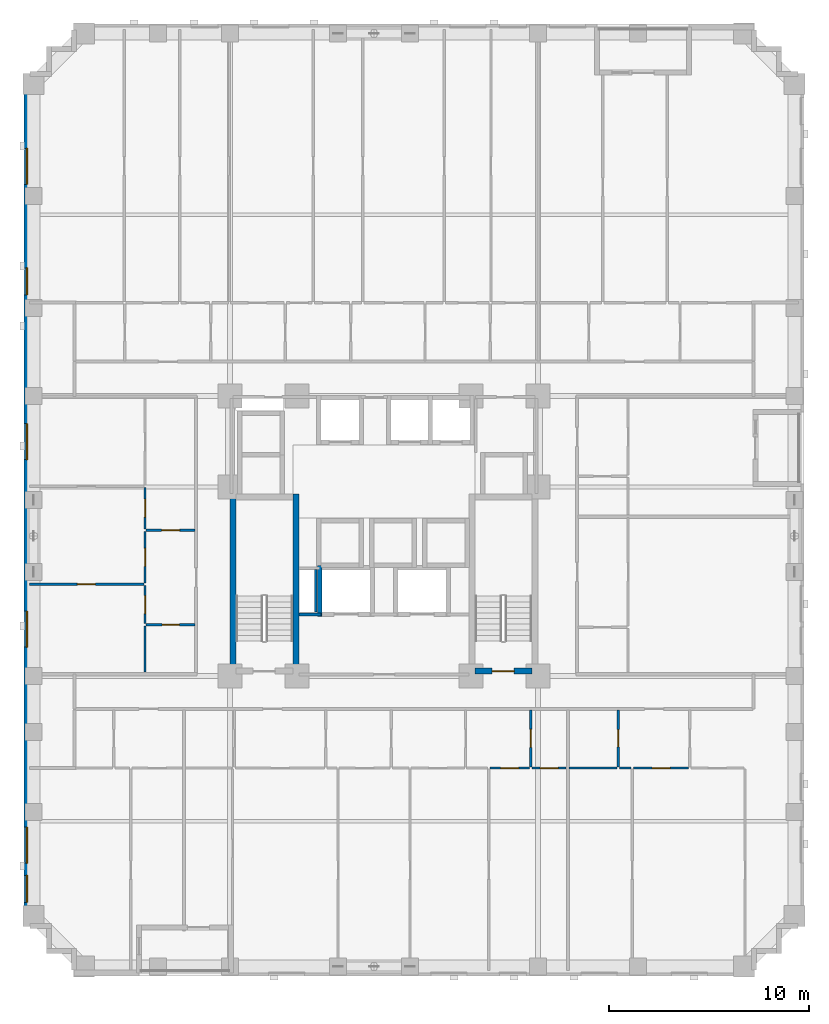
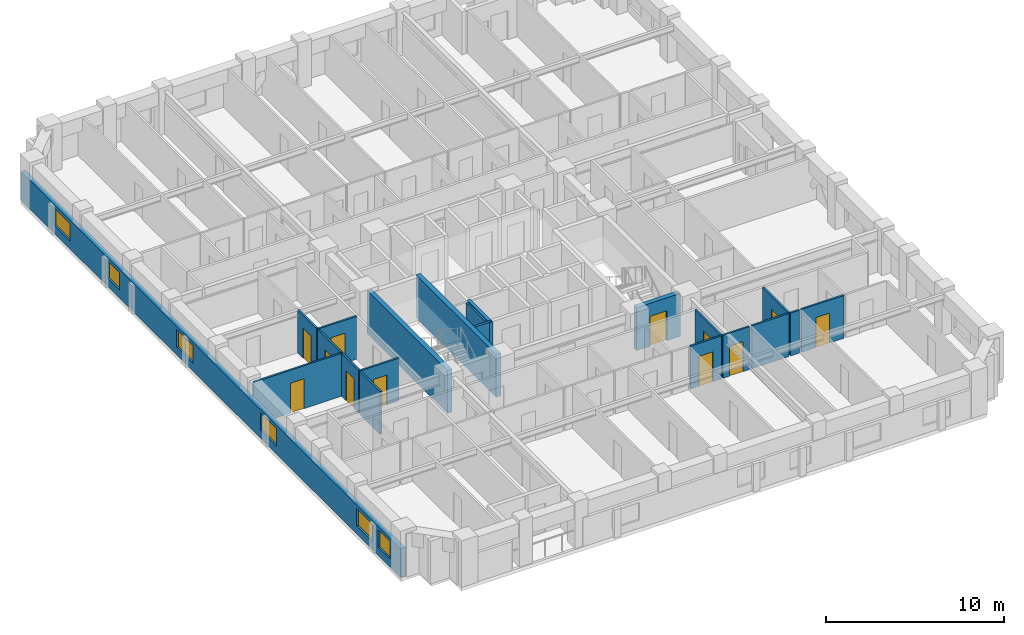
# One storey, part 4 of 14: 21 walls, 12 doors, 6 windows, 18 openings.
"""IFC4 building model written with IfcOpenShell, lengths in metres."""

from ifc_helpers import new_model, si_unit, derived_unit, direction, frame, frame_2d, origin, place, context, subcontext, project, spatial, rectangle, extrude, material, layer, layer_set, type_object, element, fill, save


model = new_model("IFC4")

# Units and contexts
model_context = context("Model", 3, precision=1e-05, world=origin(), true_north=direction((0.0, 1.0)))
body_context = subcontext(model_context, "Body", "Model", "MODEL_VIEW")
ifc_project = project(units=[si_unit("LENGTHUNIT", "METRE"), si_unit("AREAUNIT", "SQUARE_METRE"), si_unit("VOLUMEUNIT", "CUBIC_METRE"), si_unit("PLANEANGLEUNIT", "RADIAN"), si_unit("MASSUNIT", "GRAM", prefix="KILO"), derived_unit("THERMALTRANSMITTANCEUNIT", [(si_unit("MASSUNIT", "GRAM", prefix="KILO"), 1), (si_unit("TIMEUNIT", "SECOND"), -3), (si_unit("THERMODYNAMICTEMPERATUREUNIT", "KELVIN"), -1)])], contexts=[model_context])

# Site, building, storey
site_placement = place(None, origin())
site = spatial("IfcSite", under=ifc_project, at=site_placement, CompositionType="ELEMENT")
building_placement = place(site_placement, origin())
building = spatial("IfcBuilding", under=site, at=building_placement, Name="Korrvale Station Residences", CompositionType="ELEMENT")
storey_placement = place(building_placement, frame((0.0, 0.0, 48.199951171875)))
storey = spatial("IfcBuildingStorey", under=building, at=storey_placement, Name="L12", CompositionType="ELEMENT", Elevation=48.199951171875)

# Walls
ifc_material_1 = material(Name="Concrete C70/85", Category="concrete")
ifc_layer_1 = layer(ifc_material_1, 0.300048828125, Name="Concrete C70/85")
ifc_layer_set_1 = layer_set([ifc_layer_1], Name="Concrete C70/85")
wall_type_1 = type_object("IfcWallType", Name="WAL-CORE-300-C70", PredefinedType="SHEAR", material=ifc_layer_set_1)
for number, where, z_axis, x_axis, name in (
    (1, (17.949951171875, 15.10009765625, 0.0), (0.0, 0.0, 1.0), (0.0, 1.0, 0.0), "L12 ST-1 Core Shear Wall West"),
    (2, (21.10009765625, 15.10009765625, 0.0), (0.0, 0.0, 1.0), (0.0, 1.0, 0.0), "L12 ST-1 Core Shear Wall East"),
):
    element("IfcWall", number, at=place(storey_placement, frame(where, z_axis=z_axis, x_axis=x_axis)), inside=storey, type_object=wall_type_1, Name=name, PredefinedType="SHEAR", context=body_context, shape_type="SweptSolid", body=[
        extrude(rectangle(XDim=9.0, YDim=0.300048828125, at=frame_2d((4.5, 0.0))), origin(), (0.0, 0.0, 1.0), 2.93994140625),
    ])

# Wall, opening, door
wall_1_placement = place(storey_placement, frame((30.050048828125, 15.25, 0.0), z_axis=(0.0, 0.0, 1.0), x_axis=(1.0, 0.0, 0.0)))
wall_1 = element("IfcWall", 3, at=wall_1_placement, inside=storey, type_object=wall_type_1, Name="L12 ST-2 Core Shear Wall South", PredefinedType="SHEAR", context=body_context, shape_type="SweptSolid", body=[
    extrude(rectangle(XDim=2.849853515625, YDim=0.300048828125, at=frame_2d((1.4248046875, 0.0))), origin(), (0.0, 0.0, 1.0), 2.93994140625),
])
opening_1_placement = place(wall_1_placement, frame((0.860107421875, 0.0, 0.0)))
opening_1 = element("IfcOpeningElement", 4, at=opening_1_placement, cuts=wall_1, Name="Opening SD-1100", PredefinedType="OPENING", context=body_context, shape_type="SweptSolid", body=[
    extrude(rectangle(XDim=1.10009765625, YDim=2.050048828125, at=frame_2d((0.550048828125, 1.02490234375))), frame((0.0, 0.16015625, 0.0), z_axis=(0.0, -1.0, 0.0), x_axis=(1.0, 0.0, 0.0)), (0.0, 0.0, 1.0), 0.320068359375),
])
ifc_material_2 = material(Name="Hollow-metal fire-rated stair door with closer", Category="steel")
door_type_1 = type_object("IfcDoorType", Name="DR-STAIR-1100", OperationType="NOTDEFINED", PredefinedType="DOOR", material=ifc_material_2)
door_1_placement = place(opening_1_placement, origin())
door_1 = element("IfcDoor", 5, at=door_1_placement, inside=storey, type_object=door_type_1, Name="L12 ST-2 Exit Stair Door", OperationType="SINGLE_SWING_RIGHT", OverallHeight=2.050048828125, OverallWidth=1.10009765625, PredefinedType="DOOR", context=body_context, shape_type="SweptSolid", body=[
    extrude(rectangle(XDim=1.10009765625, YDim=2.050048828125, at=frame_2d((0.550048828125, 1.02490234375))), frame((0.0, 0.02490234375, 0.0), z_axis=(0.0, -1.0, 0.0), x_axis=(1.0, 0.0, 0.0)), (0.0, 0.0, 1.0), 0.050048828125),
])
fill(opening_1, door_1)

# Wall, openings, windows
ifc_material_3 = material(Name="Precast concrete C45/55", Category="concrete")
ifc_layer_2 = layer(ifc_material_3, 0.300048828125, Name="Precast concrete C45/55")
ifc_layer_set_2 = layer_set([ifc_layer_2], Name="Precast concrete C45/55")
wall_type_2 = type_object("IfcWallType", Name="WAL-EXT-PC300", PredefinedType="SOLIDWALL", material=ifc_layer_set_2)
wall_2_placement = place(storey_placement, frame((7.64990234375, 2.5, 0.0), z_axis=(0.0, 0.0, 1.0), x_axis=(0.0, 1.0, 0.0)))
wall_2 = element("IfcWall", 6, at=wall_2_placement, inside=storey, type_object=wall_type_2, Name="L12 West Exterior Precast Wall 1", PredefinedType="SOLIDWALL", context=body_context, shape_type="SweptSolid", body=[
    extrude(rectangle(XDim=42.60009765625, YDim=0.300048828125, at=frame_2d((21.300048828125, 0.0))), origin(), (0.0, 0.0, 1.0), 1.97509765625),
])
opening_2_placement = place(wall_2_placement, frame((3.14990234375, 0.0, 0.550048828125)))
opening_2 = element("IfcOpeningElement", 7, at=opening_2_placement, cuts=wall_2, Name="Opening W-09", PredefinedType="OPENING", context=body_context, shape_type="SweptSolid", body=[
    extrude(rectangle(XDim=1.800048828125, YDim=1.199951171875, at=frame_2d((0.89990234375, 0.60009765625))), frame((0.0, 0.16015625, 0.0), z_axis=(0.0, -1.0, 0.0), x_axis=(1.0, 0.0, 0.0)), (0.0, 0.0, 1.0), 0.320068359375),
])
opening_3_placement = place(wall_2_placement, frame((1.18505859375, 0.0, 0.550048828125)))
opening_3 = element("IfcOpeningElement", 8, at=opening_3_placement, cuts=wall_2, Name="Opening W-10", PredefinedType="OPENING", context=body_context, shape_type="SweptSolid", body=[
    extrude(rectangle(XDim=1.35009765625, YDim=1.199951171875, at=frame_2d((0.675048828125, 0.60009765625))), frame((0.0, 0.16015625, 0.0), z_axis=(0.0, -1.0, 0.0), x_axis=(1.0, 0.0, 0.0)), (0.0, 0.0, 1.0), 0.320068359375),
])
opening_4_placement = place(wall_2_placement, frame((37.0849609375, 0.0, 0.550048828125)))
opening_4 = element("IfcOpeningElement", 9, at=opening_4_placement, cuts=wall_2, Name="Opening W-09", PredefinedType="OPENING", context=body_context, shape_type="SweptSolid", body=[
    extrude(rectangle(XDim=1.800048828125, YDim=1.199951171875, at=frame_2d((0.89990234375, 0.60009765625))), frame((0.0, 0.16015625, 0.0), z_axis=(0.0, -1.0, 0.0), x_axis=(1.0, 0.0, 0.0)), (0.0, 0.0, 1.0), 0.320068359375),
])
opening_5_placement = place(wall_2_placement, frame((31.550048828125, 0.0, 0.550048828125)))
opening_5 = element("IfcOpeningElement", 10, at=opening_5_placement, cuts=wall_2, Name="Opening W-10", PredefinedType="OPENING", context=body_context, shape_type="SweptSolid", body=[
    extrude(rectangle(XDim=1.35009765625, YDim=1.199951171875, at=frame_2d((0.675048828125, 0.60009765625))), frame((0.0, 0.16015625, 0.0), z_axis=(0.0, -1.0, 0.0), x_axis=(1.0, 0.0, 0.0)), (0.0, 0.0, 1.0), 0.320068359375),
])
opening_6_placement = place(wall_2_placement, frame((13.949951171875, 0.0, 0.550048828125)))
opening_6 = element("IfcOpeningElement", 11, at=opening_6_placement, cuts=wall_2, Name="Opening W-09", PredefinedType="OPENING", context=body_context, shape_type="SweptSolid", body=[
    extrude(rectangle(XDim=1.800048828125, YDim=1.199951171875, at=frame_2d((0.89990234375, 0.60009765625))), frame((0.0, 0.16015625, 0.0), z_axis=(0.0, -1.0, 0.0), x_axis=(1.0, 0.0, 0.0)), (0.0, 0.0, 1.0), 0.320068359375),
])
opening_7_placement = place(wall_2_placement, frame((23.324951171875, 0.0, 0.550048828125)))
opening_7 = element("IfcOpeningElement", 12, at=opening_7_placement, cuts=wall_2, Name="Opening W-09", PredefinedType="OPENING", context=body_context, shape_type="SweptSolid", body=[
    extrude(rectangle(XDim=1.800048828125, YDim=1.199951171875, at=frame_2d((0.89990234375, 0.60009765625))), frame((0.0, 0.16015625, 0.0), z_axis=(0.0, -1.0, 0.0), x_axis=(1.0, 0.0, 0.0)), (0.0, 0.0, 1.0), 0.320068359375),
])
ifc_material_4 = material(Name="Thermally broken aluminium frame with triple low-e glazing", Category="aluminium")
window_type_1 = type_object("IfcWindowType", Name="WIN-W09", PartitioningType="DOUBLE_PANEL_VERTICAL", PredefinedType="WINDOW", material=ifc_material_4)
window_1_placement = place(opening_2_placement, origin())
window_1 = element("IfcWindow", 13, at=window_1_placement, inside=storey, type_object=window_type_1, Name="L12 Punched Window 01", OverallHeight=1.199951171875, OverallWidth=1.800048828125, PartitioningType="DOUBLE_PANEL_VERTICAL", PredefinedType="WINDOW", context=body_context, shape_type="SweptSolid", body=[
    extrude(rectangle(XDim=1.800048828125, YDim=1.199951171875, at=frame_2d((0.89990234375, 0.60009765625))), frame((0.0, 0.030029296875, 0.0), z_axis=(0.0, -1.0, 0.0), x_axis=(1.0, 0.0, 0.0)), (0.0, 0.0, 1.0), 0.06005859375),
])
fill(opening_2, window_1)
window_2_placement = place(opening_4_placement, origin())
window_2 = element("IfcWindow", 14, at=window_2_placement, inside=storey, type_object=window_type_1, Name="L12 Punched Window 11", OverallHeight=1.199951171875, OverallWidth=1.800048828125, PartitioningType="DOUBLE_PANEL_VERTICAL", PredefinedType="WINDOW", context=body_context, shape_type="SweptSolid", body=[
    extrude(rectangle(XDim=1.800048828125, YDim=1.199951171875, at=frame_2d((0.89990234375, 0.60009765625))), frame((0.0, 0.030029296875, 0.0), z_axis=(0.0, -1.0, 0.0), x_axis=(1.0, 0.0, 0.0)), (0.0, 0.0, 1.0), 0.06005859375),
])
fill(opening_4, window_2)
window_3_placement = place(opening_6_placement, origin())
window_3 = element("IfcWindow", 15, at=window_3_placement, inside=storey, type_object=window_type_1, Name="L12 Punched Window 21", OverallHeight=1.199951171875, OverallWidth=1.800048828125, PartitioningType="DOUBLE_PANEL_VERTICAL", PredefinedType="WINDOW", context=body_context, shape_type="SweptSolid", body=[
    extrude(rectangle(XDim=1.800048828125, YDim=1.199951171875, at=frame_2d((0.89990234375, 0.60009765625))), frame((0.0, 0.030029296875, 0.0), z_axis=(0.0, -1.0, 0.0), x_axis=(1.0, 0.0, 0.0)), (0.0, 0.0, 1.0), 0.06005859375),
])
fill(opening_6, window_3)
window_4_placement = place(opening_7_placement, origin())
window_4 = element("IfcWindow", 16, at=window_4_placement, inside=storey, type_object=window_type_1, Name="L12 Punched Window 22", OverallHeight=1.199951171875, OverallWidth=1.800048828125, PartitioningType="DOUBLE_PANEL_VERTICAL", PredefinedType="WINDOW", context=body_context, shape_type="SweptSolid", body=[
    extrude(rectangle(XDim=1.800048828125, YDim=1.199951171875, at=frame_2d((0.89990234375, 0.60009765625))), frame((0.0, 0.030029296875, 0.0), z_axis=(0.0, -1.0, 0.0), x_axis=(1.0, 0.0, 0.0)), (0.0, 0.0, 1.0), 0.06005859375),
])
fill(opening_7, window_4)
window_type_2 = type_object("IfcWindowType", Name="WIN-W10", PartitioningType="SINGLE_PANEL", PredefinedType="WINDOW", material=ifc_material_4)
window_5_placement = place(opening_3_placement, origin())
window_5 = element("IfcWindow", 17, at=window_5_placement, inside=storey, type_object=window_type_2, Name="L12 Punched Window 02", OverallHeight=1.199951171875, OverallWidth=1.35009765625, PartitioningType="SINGLE_PANEL", PredefinedType="WINDOW", context=body_context, shape_type="SweptSolid", body=[
    extrude(rectangle(XDim=1.35009765625, YDim=1.199951171875, at=frame_2d((0.675048828125, 0.60009765625))), frame((0.0, 0.030029296875, 0.0), z_axis=(0.0, -1.0, 0.0), x_axis=(1.0, 0.0, 0.0)), (0.0, 0.0, 1.0), 0.06005859375),
])
fill(opening_3, window_5)
window_6_placement = place(opening_5_placement, origin())
window_6 = element("IfcWindow", 18, at=window_6_placement, inside=storey, type_object=window_type_2, Name="L12 Punched Window 12", OverallHeight=1.199951171875, OverallWidth=1.35009765625, PartitioningType="SINGLE_PANEL", PredefinedType="WINDOW", context=body_context, shape_type="SweptSolid", body=[
    extrude(rectangle(XDim=1.35009765625, YDim=1.199951171875, at=frame_2d((0.675048828125, 0.60009765625))), frame((0.0, 0.030029296875, 0.0), z_axis=(0.0, -1.0, 0.0), x_axis=(1.0, 0.0, 0.0)), (0.0, 0.0, 1.0), 0.06005859375),
])
fill(opening_5, window_6)

# Wall
ifc_material_5 = material(Name="Acoustic steel-stud gypsum board partition", Category="steel")
ifc_layer_3 = layer(ifc_material_5, 0.1201171875, Name="Acoustic steel-stud gypsum board partition")
ifc_layer_set_3 = layer_set([ifc_layer_3], Name="Acoustic steel-stud gypsum board partition")
wall_type_3 = type_object("IfcWallType", Name="WAL-PART-125", PredefinedType="PARTITIONING", material=ifc_layer_set_3)
wall_3_placement = place(storey_placement, frame((22.080078125, 18.199951171875, 0.0), z_axis=(0.0, 0.0, 1.0), x_axis=(0.0, 1.0, 0.0)))
element("IfcWall", 19, at=wall_3_placement, inside=storey, type_object=wall_type_3, Name="L12 Core Partition CW-RSWT", PredefinedType="PARTITIONING", context=body_context, shape_type="SweptSolid", body=[
    extrude(rectangle(XDim=2.1201171875, YDim=0.1201171875, at=frame_2d((1.06005859375, 0.0))), origin(), (0.0, 0.0, 1.0), 2.93994140625),
])

# Wall, opening, door
wall_4_placement = place(storey_placement, frame((32.845947265625, 10.4599609375, 0.0), z_axis=(0.0, 0.0, 1.0), x_axis=(0.0, 1.0, 0.0)))
wall_4 = element("IfcWall", 20, at=wall_4_placement, inside=storey, type_object=wall_type_3, Name="L12 Suite Partition U02-V45", PredefinedType="PARTITIONING", context=body_context, shape_type="SweptSolid", body=[
    extrude(rectangle(XDim=2.85009765625, YDim=0.1201171875, at=frame_2d((1.425048828125, 0.0))), origin(), (0.0, 0.0, 1.0), 2.93994140625),
])
opening_8_placement = place(wall_4_placement, frame((0.97509765625, 0.0, 0.0)))
opening_8 = element("IfcOpeningElement", 21, at=opening_8_placement, cuts=wall_4, Name="Opening DI-900", PredefinedType="OPENING", context=body_context, shape_type="SweptSolid", body=[
    extrude(rectangle(XDim=0.89990234375, YDim=2.050048828125, at=frame_2d((0.449951171875, 1.02490234375))), frame((0.0, 0.070068359375, 0.0), z_axis=(0.0, -1.0, 0.0), x_axis=(1.0, 0.0, 0.0)), (0.0, 0.0, 1.0), 0.14013671875),
])
ifc_material_6 = material(Name="Painted solid-core timber interior room door", Category="wood")
door_type_2 = type_object("IfcDoorType", Name="DR-INT-900", OperationType="NOTDEFINED", PredefinedType="DOOR", material=ifc_material_6)
door_2_placement = place(opening_8_placement, origin())
door_2 = element("IfcDoor", 22, at=door_2_placement, inside=storey, type_object=door_type_2, Name="L12 Apartment 2BR L12-U02 Storage Closet 3 Door", OperationType="SINGLE_SWING_LEFT", OverallHeight=2.050048828125, OverallWidth=0.89990234375, PredefinedType="DOOR", context=body_context, shape_type="SweptSolid", body=[
    extrude(rectangle(XDim=0.89990234375, YDim=2.050048828125, at=frame_2d((0.449951171875, 1.02490234375))), frame((0.0, 0.02490234375, 0.0), z_axis=(0.0, -1.0, 0.0), x_axis=(1.0, 0.0, 0.0)), (0.0, 0.0, 1.0), 0.050048828125),
])
fill(opening_8, door_2)

wall_5_placement = place(storey_placement, frame((30.7880859375, 10.39990234375, 0.0), z_axis=(0.0, 0.0, 1.0), x_axis=(1.0, 0.0, 0.0)))
wall_5 = element("IfcWall", 23, at=wall_5_placement, inside=storey, type_object=wall_type_3, Name="L12 Suite Partition U02-H410", PredefinedType="PARTITIONING", context=body_context, shape_type="SweptSolid", body=[
    extrude(rectangle(XDim=1.997802734375, YDim=0.1201171875, at=frame_2d((0.9990234375, 0.0))), origin(), (0.0, 0.0, 1.0), 2.93994140625),
])
opening_9_placement = place(wall_5_placement, frame((0.549072265625, 0.0, 0.0)))
opening_9 = element("IfcOpeningElement", 24, at=opening_9_placement, cuts=wall_5, Name="Opening DI-900", PredefinedType="OPENING", context=body_context, shape_type="SweptSolid", body=[
    extrude(rectangle(XDim=0.89990234375, YDim=2.050048828125, at=frame_2d((0.449951171875, 1.02490234375))), frame((0.0, 0.070068359375, 0.0), z_axis=(0.0, -1.0, 0.0), x_axis=(1.0, 0.0, 0.0)), (0.0, 0.0, 1.0), 0.14013671875),
])
door_3_placement = place(opening_9_placement, origin())
door_3 = element("IfcDoor", 25, at=door_3_placement, inside=storey, type_object=door_type_2, Name="L12 Apartment 2BR L12-U02 Storage Closet 3 Door", OperationType="SINGLE_SWING_RIGHT", OverallHeight=2.050048828125, OverallWidth=0.89990234375, PredefinedType="DOOR", context=body_context, shape_type="SweptSolid", body=[
    extrude(rectangle(XDim=0.89990234375, YDim=2.050048828125, at=frame_2d((0.449951171875, 1.02490234375))), frame((0.0, 0.02490234375, 0.0), z_axis=(0.0, -1.0, 0.0), x_axis=(1.0, 0.0, 0.0)), (0.0, 0.0, 1.0), 0.050048828125),
])
fill(opening_9, door_3)

wall_6_placement = place(storey_placement, frame((32.906005859375, 10.39990234375, 0.0), z_axis=(0.0, 0.0, 1.0), x_axis=(1.0, 0.0, 0.0)))
wall_6 = element("IfcWall", 26, at=wall_6_placement, inside=storey, type_object=wall_type_3, Name="L12 Suite Partition U02-H510", PredefinedType="PARTITIONING", context=body_context, shape_type="SweptSolid", body=[
    extrude(rectangle(XDim=1.68994140625, YDim=0.1201171875, at=frame_2d((0.844970703125, 0.0))), origin(), (0.0, 0.0, 1.0), 2.93994140625),
])
opening_10_placement = place(wall_6_placement, frame((0.39501953125, 0.0, 0.0)))
opening_10 = element("IfcOpeningElement", 27, at=opening_10_placement, cuts=wall_6, Name="Opening DI-900", PredefinedType="OPENING", context=body_context, shape_type="SweptSolid", body=[
    extrude(rectangle(XDim=0.89990234375, YDim=2.050048828125, at=frame_2d((0.449951171875, 1.02490234375))), frame((0.0, 0.070068359375, 0.0), z_axis=(0.0, -1.0, 0.0), x_axis=(1.0, 0.0, 0.0)), (0.0, 0.0, 1.0), 0.14013671875),
])
door_4_placement = place(opening_10_placement, origin())
door_4 = element("IfcDoor", 28, at=door_4_placement, inside=storey, type_object=door_type_2, Name="L12 Apartment 2BR L12-U02 Storage Closet 4 Door", OperationType="SINGLE_SWING_LEFT", OverallHeight=2.050048828125, OverallWidth=0.89990234375, PredefinedType="DOOR", context=body_context, shape_type="SweptSolid", body=[
    extrude(rectangle(XDim=0.89990234375, YDim=2.050048828125, at=frame_2d((0.449951171875, 1.02490234375))), frame((0.0, 0.02490234375, 0.0), z_axis=(0.0, -1.0, 0.0), x_axis=(1.0, 0.0, 0.0)), (0.0, 0.0, 1.0), 0.050048828125),
])
fill(opening_10, door_4)

wall_7_placement = place(storey_placement, frame((37.216064453125, 10.4599609375, 0.0), z_axis=(0.0, 0.0, 1.0), x_axis=(0.0, 1.0, 0.0)))
wall_7 = element("IfcWall", 29, at=wall_7_placement, inside=storey, type_object=wall_type_3, Name="L12 Suite Partition U03-V01", PredefinedType="PARTITIONING", context=body_context, shape_type="SweptSolid", body=[
    extrude(rectangle(XDim=2.85009765625, YDim=0.1201171875, at=frame_2d((1.425048828125, 0.0))), origin(), (0.0, 0.0, 1.0), 2.93994140625),
])
opening_11_placement = place(wall_7_placement, frame((0.9951171875, 0.0, 0.0)))
opening_11 = element("IfcOpeningElement", 30, at=opening_11_placement, cuts=wall_7, Name="Opening DB-860", PredefinedType="OPENING", context=body_context, shape_type="SweptSolid", body=[
    extrude(rectangle(XDim=0.860107421875, YDim=2.050048828125, at=frame_2d((0.43017578125, 1.02490234375))), frame((0.0, 0.070068359375, 0.0), z_axis=(0.0, -1.0, 0.0), x_axis=(1.0, 0.0, 0.0)), (0.0, 0.0, 1.0), 0.14013671875),
])
ifc_material_7 = material(Name="Moisture-resistant solid-core bathroom door", Category="timber")
door_type_3 = type_object("IfcDoorType", Name="DR-BATH-860", OperationType="NOTDEFINED", PredefinedType="DOOR", material=ifc_material_7)
door_5_placement = place(opening_11_placement, origin())
door_5 = element("IfcDoor", 31, at=door_5_placement, inside=storey, type_object=door_type_3, Name="L12 Studio Apartment L12-U03 Bathroom Door", OperationType="SINGLE_SWING_RIGHT", OverallHeight=2.050048828125, OverallWidth=0.860107421875, PredefinedType="DOOR", context=body_context, shape_type="SweptSolid", body=[
    extrude(rectangle(XDim=0.860107421875, YDim=2.050048828125, at=frame_2d((0.43017578125, 1.02490234375))), frame((0.0, 0.02490234375, 0.0), z_axis=(0.0, -1.0, 0.0), x_axis=(1.0, 0.0, 0.0)), (0.0, 0.0, 1.0), 0.050048828125),
])
fill(opening_11, door_5)

# Walls
wall_8_placement = place(storey_placement, frame((34.756103515625, 10.39990234375, 0.0), z_axis=(0.0, 0.0, 1.0), x_axis=(1.0, 0.0, 0.0)))
element("IfcWall", 32, at=wall_8_placement, inside=storey, type_object=wall_type_3, Name="L12 Suite Partition U03-H03", PredefinedType="PARTITIONING", context=body_context, shape_type="SweptSolid", body=[
    extrude(rectangle(XDim=2.39990234375, YDim=0.1201171875, at=frame_2d((1.199951171875, 0.0))), origin(), (0.0, 0.0, 1.0), 2.93994140625),
])
wall_9_placement = place(storey_placement, frame((37.27587890625, 10.39990234375, 0.0), z_axis=(0.0, 0.0, 1.0), x_axis=(1.0, 0.0, 0.0)))
element("IfcWall", 33, at=wall_9_placement, inside=storey, type_object=wall_type_3, Name="L12 Suite Partition U03-H13", PredefinedType="PARTITIONING", context=body_context, shape_type="SweptSolid", body=[
    extrude(rectangle(XDim=0.580078125, YDim=0.1201171875, at=frame_2d((0.2900390625, 0.0))), origin(), (0.0, 0.0, 1.0), 2.93994140625),
])

# Wall, opening, door
wall_10_placement = place(storey_placement, frame((37.97607421875, 10.39990234375, 0.0), z_axis=(0.0, 0.0, 1.0), x_axis=(1.0, 0.0, 0.0)))
wall_10 = element("IfcWall", 34, at=wall_10_placement, inside=storey, type_object=wall_type_3, Name="L12 Suite Partition U03-H14", PredefinedType="PARTITIONING", context=body_context, shape_type="SweptSolid", body=[
    extrude(rectangle(XDim=2.75, YDim=0.1201171875, at=frame_2d((1.375, 0.0))), origin(), (0.0, 0.0, 1.0), 2.93994140625),
])
opening_12_placement = place(wall_10_placement, frame((0.925048828125, 0.0, 0.0)))
opening_12 = element("IfcOpeningElement", 35, at=opening_12_placement, cuts=wall_10, Name="Opening DI-900", PredefinedType="OPENING", context=body_context, shape_type="SweptSolid", body=[
    extrude(rectangle(XDim=0.89990234375, YDim=2.050048828125, at=frame_2d((0.449951171875, 1.02490234375))), frame((0.0, 0.070068359375, 0.0), z_axis=(0.0, -1.0, 0.0), x_axis=(1.0, 0.0, 0.0)), (0.0, 0.0, 1.0), 0.14013671875),
])
door_6_placement = place(opening_12_placement, origin())
door_6 = element("IfcDoor", 36, at=door_6_placement, inside=storey, type_object=door_type_2, Name="L12 Studio Apartment L12-U03 Kitchen Door", OperationType="SINGLE_SWING_RIGHT", OverallHeight=2.050048828125, OverallWidth=0.89990234375, PredefinedType="DOOR", context=body_context, shape_type="SweptSolid", body=[
    extrude(rectangle(XDim=0.89990234375, YDim=2.050048828125, at=frame_2d((0.449951171875, 1.02490234375))), frame((0.0, 0.02490234375, 0.0), z_axis=(0.0, -1.0, 0.0), x_axis=(1.0, 0.0, 0.0)), (0.0, 0.0, 1.0), 0.050048828125),
])
fill(opening_12, door_6)

wall_11_placement = place(storey_placement, frame((13.610107421875, 22.2900390625, 0.0), z_axis=(0.0, 0.0, 1.0), x_axis=(1.0, 0.0, 0.0)))
wall_11 = element("IfcWall", 37, at=wall_11_placement, inside=storey, type_object=wall_type_3, Name="L12 Suite Partition U06-H02", PredefinedType="PARTITIONING", context=body_context, shape_type="SweptSolid", body=[
    extrude(rectangle(XDim=2.449951171875, YDim=0.1201171875, at=frame_2d((1.22509765625, 0.0))), origin(), (0.0, 0.0, 1.0), 2.93994140625),
])
opening_13_placement = place(wall_11_placement, frame((0.77490234375, 0.0, 0.0)))
opening_13 = element("IfcOpeningElement", 38, at=opening_13_placement, cuts=wall_11, Name="Opening DI-900", PredefinedType="OPENING", context=body_context, shape_type="SweptSolid", body=[
    extrude(rectangle(XDim=0.89990234375, YDim=2.050048828125, at=frame_2d((0.449951171875, 1.02490234375))), frame((0.0, 0.070068359375, 0.0), z_axis=(0.0, -1.0, 0.0), x_axis=(1.0, 0.0, 0.0)), (0.0, 0.0, 1.0), 0.14013671875),
])
door_7_placement = place(opening_13_placement, origin())
door_7 = element("IfcDoor", 39, at=door_7_placement, inside=storey, type_object=door_type_2, Name="L12 Apartment 2BR L12-U06 Wardrobe Storage Room Door", OperationType="SINGLE_SWING_LEFT", OverallHeight=2.050048828125, OverallWidth=0.89990234375, PredefinedType="DOOR", context=body_context, shape_type="SweptSolid", body=[
    extrude(rectangle(XDim=0.89990234375, YDim=2.050048828125, at=frame_2d((0.449951171875, 1.02490234375))), frame((0.0, 0.02490234375, 0.0), z_axis=(0.0, -1.0, 0.0), x_axis=(1.0, 0.0, 0.0)), (0.0, 0.0, 1.0), 0.050048828125),
])
fill(opening_13, door_7)

wall_12_placement = place(storey_placement, frame((13.550048828125, 22.35009765625, 0.0), z_axis=(0.0, 0.0, 1.0), x_axis=(0.0, 1.0, 0.0)))
wall_12 = element("IfcWall", 40, at=wall_12_placement, inside=storey, type_object=wall_type_3, Name="L12 Suite Partition U06-V04", PredefinedType="PARTITIONING", context=body_context, shape_type="SweptSolid", body=[
    extrude(rectangle(XDim=2.081787109375, YDim=0.1201171875, at=frame_2d((1.041015625, 0.0))), origin(), (0.0, 0.0, 1.0), 2.93994140625),
])
opening_14_placement = place(wall_12_placement, frame((0.591064453125, 0.0, 0.0)))
opening_14 = element("IfcOpeningElement", 41, at=opening_14_placement, cuts=wall_12, Name="Opening DI-900", PredefinedType="OPENING", context=body_context, shape_type="SweptSolid", body=[
    extrude(rectangle(XDim=0.89990234375, YDim=2.050048828125, at=frame_2d((0.449951171875, 1.02490234375))), frame((0.0, 0.070068359375, 0.0), z_axis=(0.0, -1.0, 0.0), x_axis=(1.0, 0.0, 0.0)), (0.0, 0.0, 1.0), 0.14013671875),
])
door_8_placement = place(opening_14_placement, origin())
door_8 = element("IfcDoor", 42, at=door_8_placement, inside=storey, type_object=door_type_2, Name="L12 Apartment 2BR L12-U06 Wardrobe Storage Room Door", OperationType="SINGLE_SWING_RIGHT", OverallHeight=2.050048828125, OverallWidth=0.89990234375, PredefinedType="DOOR", context=body_context, shape_type="SweptSolid", body=[
    extrude(rectangle(XDim=0.89990234375, YDim=2.050048828125, at=frame_2d((0.449951171875, 1.02490234375))), frame((0.0, 0.02490234375, 0.0), z_axis=(0.0, -1.0, 0.0), x_axis=(1.0, 0.0, 0.0)), (0.0, 0.0, 1.0), 0.050048828125),
])
fill(opening_14, door_8)

wall_13_placement = place(storey_placement, frame((13.610107421875, 17.570068359375, 0.0), z_axis=(0.0, 0.0, 1.0), x_axis=(1.0, 0.0, 0.0)))
wall_13 = element("IfcWall", 43, at=wall_13_placement, inside=storey, type_object=wall_type_3, Name="L12 Suite Partition U06-H12", PredefinedType="PARTITIONING", context=body_context, shape_type="SweptSolid", body=[
    extrude(rectangle(XDim=2.449951171875, YDim=0.1201171875, at=frame_2d((1.22509765625, 0.0))), origin(), (0.0, 0.0, 1.0), 2.93994140625),
])
opening_15_placement = place(wall_13_placement, frame((0.794921875, 0.0, 0.0)))
opening_15 = element("IfcOpeningElement", 44, at=opening_15_placement, cuts=wall_13, Name="Opening DB-860", PredefinedType="OPENING", context=body_context, shape_type="SweptSolid", body=[
    extrude(rectangle(XDim=0.860107421875, YDim=2.050048828125, at=frame_2d((0.43017578125, 1.02490234375))), frame((0.0, 0.070068359375, 0.0), z_axis=(0.0, -1.0, 0.0), x_axis=(1.0, 0.0, 0.0)), (0.0, 0.0, 1.0), 0.14013671875),
])
door_9_placement = place(opening_15_placement, origin())
door_9 = element("IfcDoor", 45, at=door_9_placement, inside=storey, type_object=door_type_3, Name="L12 Apartment 2BR L12-U06 Bathroom Door", OperationType="SINGLE_SWING_RIGHT", OverallHeight=2.050048828125, OverallWidth=0.860107421875, PredefinedType="DOOR", context=body_context, shape_type="SweptSolid", body=[
    extrude(rectangle(XDim=0.860107421875, YDim=2.050048828125, at=frame_2d((0.43017578125, 1.02490234375))), frame((0.0, 0.02490234375, 0.0), z_axis=(0.0, -1.0, 0.0), x_axis=(1.0, 0.0, 0.0)), (0.0, 0.0, 1.0), 0.050048828125),
])
fill(opening_15, door_9)

# Wall
wall_14_placement = place(storey_placement, frame((13.550048828125, 15.2099609375, 0.0), z_axis=(0.0, 0.0, 1.0), x_axis=(0.0, 1.0, 0.0)))
element("IfcWall", 46, at=wall_14_placement, inside=storey, type_object=wall_type_3, Name="L12 Suite Partition U06-V13", PredefinedType="PARTITIONING", context=body_context, shape_type="SweptSolid", body=[
    extrude(rectangle(XDim=2.300048828125, YDim=0.1201171875, at=frame_2d((1.14990234375, 0.0))), origin(), (0.0, 0.0, 1.0), 2.93994140625),
])

# Wall, opening, door
wall_15_placement = place(storey_placement, frame((13.550048828125, 17.6298828125, 0.0), z_axis=(0.0, 0.0, 1.0), x_axis=(0.0, 1.0, 0.0)))
wall_15 = element("IfcWall", 47, at=wall_15_placement, inside=storey, type_object=wall_type_3, Name="L12 Suite Partition U06-V23", PredefinedType="PARTITIONING", context=body_context, shape_type="SweptSolid", body=[
    extrude(rectangle(XDim=1.88818359375, YDim=0.1201171875, at=frame_2d((0.944091796875, 0.0))), origin(), (0.0, 0.0, 1.0), 2.93994140625),
])
opening_16_placement = place(wall_15_placement, frame((0.493896484375, 0.0, 0.0)))
opening_16 = element("IfcOpeningElement", 48, at=opening_16_placement, cuts=wall_15, Name="Opening DI-900", PredefinedType="OPENING", context=body_context, shape_type="SweptSolid", body=[
    extrude(rectangle(XDim=0.89990234375, YDim=2.050048828125, at=frame_2d((0.449951171875, 1.02490234375))), frame((0.0, 0.070068359375, 0.0), z_axis=(0.0, -1.0, 0.0), x_axis=(1.0, 0.0, 0.0)), (0.0, 0.0, 1.0), 0.14013671875),
])
door_10_placement = place(opening_16_placement, origin())
door_10 = element("IfcDoor", 49, at=door_10_placement, inside=storey, type_object=door_type_2, Name="L12 Apartment 2BR L12-U06 Kitchen Door", OperationType="SINGLE_SWING_LEFT", OverallHeight=2.050048828125, OverallWidth=0.89990234375, PredefinedType="DOOR", context=body_context, shape_type="SweptSolid", body=[
    extrude(rectangle(XDim=0.89990234375, YDim=2.050048828125, at=frame_2d((0.449951171875, 1.02490234375))), frame((0.0, 0.02490234375, 0.0), z_axis=(0.0, -1.0, 0.0), x_axis=(1.0, 0.0, 0.0)), (0.0, 0.0, 1.0), 0.050048828125),
])
fill(opening_16, door_10)

wall_16_placement = place(storey_placement, frame((13.550048828125, 19.637939453125, 0.0), z_axis=(0.0, 0.0, 1.0), x_axis=(0.0, 1.0, 0.0)))
wall_16 = element("IfcWall", 50, at=wall_16_placement, inside=storey, type_object=wall_type_3, Name="L12 Suite Partition U06-V24", PredefinedType="PARTITIONING", context=body_context, shape_type="SweptSolid", body=[
    extrude(rectangle(XDim=2.592041015625, YDim=0.1201171875, at=frame_2d((1.2958984375, 0.0))), origin(), (0.0, 0.0, 1.0), 2.93994140625),
])
opening_17_placement = place(wall_16_placement, frame((0.845947265625, 0.0, 0.0)))
opening_17 = element("IfcOpeningElement", 51, at=opening_17_placement, cuts=wall_16, Name="Opening DI-900", PredefinedType="OPENING", context=body_context, shape_type="SweptSolid", body=[
    extrude(rectangle(XDim=0.89990234375, YDim=2.050048828125, at=frame_2d((0.449951171875, 1.02490234375))), frame((0.0, 0.070068359375, 0.0), z_axis=(0.0, -1.0, 0.0), x_axis=(1.0, 0.0, 0.0)), (0.0, 0.0, 1.0), 0.14013671875),
])
door_11_placement = place(opening_17_placement, origin())
door_11 = element("IfcDoor", 52, at=door_11_placement, inside=storey, type_object=door_type_2, Name="L12 Apartment 2BR L12-U06 Kitchen Door", OperationType="SINGLE_SWING_RIGHT", OverallHeight=2.050048828125, OverallWidth=0.89990234375, PredefinedType="DOOR", context=body_context, shape_type="SweptSolid", body=[
    extrude(rectangle(XDim=0.89990234375, YDim=2.050048828125, at=frame_2d((0.449951171875, 1.02490234375))), frame((0.0, 0.02490234375, 0.0), z_axis=(0.0, -1.0, 0.0), x_axis=(1.0, 0.0, 0.0)), (0.0, 0.0, 1.0), 0.050048828125),
])
fill(opening_17, door_11)

wall_17_placement = place(storey_placement, frame((7.780029296875, 19.577880859375, 0.0), z_axis=(0.0, 0.0, 1.0), x_axis=(1.0, 0.0, 0.0)))
wall_17 = element("IfcWall", 53, at=wall_17_placement, inside=storey, type_object=wall_type_3, Name="L12 Suite Partition U06-H34", PredefinedType="PARTITIONING", context=body_context, shape_type="SweptSolid", body=[
    extrude(rectangle(XDim=5.7099609375, YDim=0.1201171875, at=frame_2d((2.85498046875, 0.0))), origin(), (0.0, 0.0, 1.0), 2.93994140625),
])
opening_18_placement = place(wall_17_placement, frame((2.389892578125, 0.0, 0.0)))
opening_18 = element("IfcOpeningElement", 54, at=opening_18_placement, cuts=wall_17, Name="Opening DI-900", PredefinedType="OPENING", context=body_context, shape_type="SweptSolid", body=[
    extrude(rectangle(XDim=0.89990234375, YDim=2.050048828125, at=frame_2d((0.449951171875, 1.02490234375))), frame((0.0, 0.070068359375, 0.0), z_axis=(0.0, -1.0, 0.0), x_axis=(1.0, 0.0, 0.0)), (0.0, 0.0, 1.0), 0.14013671875),
])
door_12_placement = place(opening_18_placement, origin())
door_12 = element("IfcDoor", 55, at=door_12_placement, inside=storey, type_object=door_type_2, Name="L12 Apartment 2BR L12-U06 Bedroom 1 Door", OperationType="SINGLE_SWING_LEFT", OverallHeight=2.050048828125, OverallWidth=0.89990234375, PredefinedType="DOOR", context=body_context, shape_type="SweptSolid", body=[
    extrude(rectangle(XDim=0.89990234375, YDim=2.050048828125, at=frame_2d((0.449951171875, 1.02490234375))), frame((0.0, 0.02490234375, 0.0), z_axis=(0.0, -1.0, 0.0), x_axis=(1.0, 0.0, 0.0)), (0.0, 0.0, 1.0), 0.050048828125),
])
fill(opening_18, door_12)

# Walls
ifc_material_8 = material(Name="Fire-rated twin-stud gypsum and mineral wool shaftwall assembly", Category="gypsum")
ifc_layer_4 = layer(ifc_material_8, 0.159912109375, Name="Fire-rated twin-stud gypsum and mineral wool shaftwall assembly")
ifc_layer_set_4 = layer_set([ifc_layer_4], Name="Fire-rated twin-stud gypsum and mineral wool shaftwall assembly")
wall_type_4 = type_object("IfcWallType", Name="WAL-PART-200", PredefinedType="PARTITIONING", material=ifc_layer_set_4)
wall_18_placement = place(storey_placement, frame((21.25, 18.080078125, 0.0), z_axis=(0.0, 0.0, 1.0), x_axis=(1.0, 0.0, 0.0)))
element("IfcWall", 56, at=wall_18_placement, inside=storey, type_object=wall_type_4, Name="L12 Core Partition CW-FFL-N1", PredefinedType="PARTITIONING", context=body_context, shape_type="SweptSolid", body=[
    extrude(rectangle(XDim=1.10009765625, YDim=0.159912109375, at=frame_2d((0.550048828125, 0.0))), origin(), (0.0, 0.0, 1.0), 2.93994140625),
])
ifc_layer_5 = layer(ifc_material_1, 0.219970703125, Name="Concrete C70/85")
ifc_layer_set_5 = layer_set([ifc_layer_5], Name="Concrete C70/85")
wall_type_5 = type_object("IfcWallType", Name="WAL-SHAFT-220-C70", PredefinedType="SHEAR", material=ifc_layer_set_5)
wall_19_placement = place(storey_placement, frame((22.2900390625, 17.97998046875, 0.0), z_axis=(0.0, 0.0, 1.0), x_axis=(0.0, 1.0, 0.0)))
element("IfcWall", 57, at=wall_19_placement, inside=storey, type_object=wall_type_5, Name="L12 Elevator FFL-1 Hoistway Wall West", PredefinedType="SHEAR", context=body_context, shape_type="SweptSolid", body=[
    extrude(rectangle(XDim=2.5400390625, YDim=0.219970703125, at=frame_2d((1.27001953125, 0.0))), origin(), (0.0, 0.0, 1.0), 2.93994140625),
])

save(model, "model.ifc")
